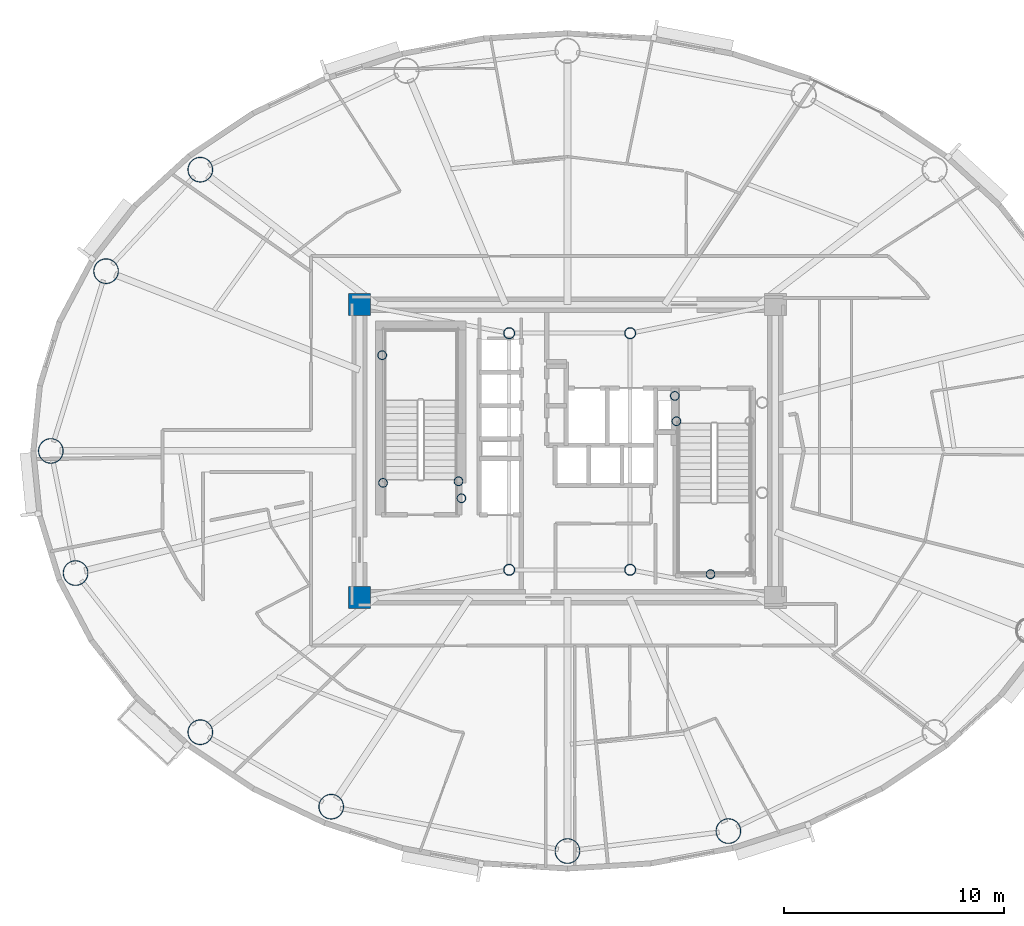
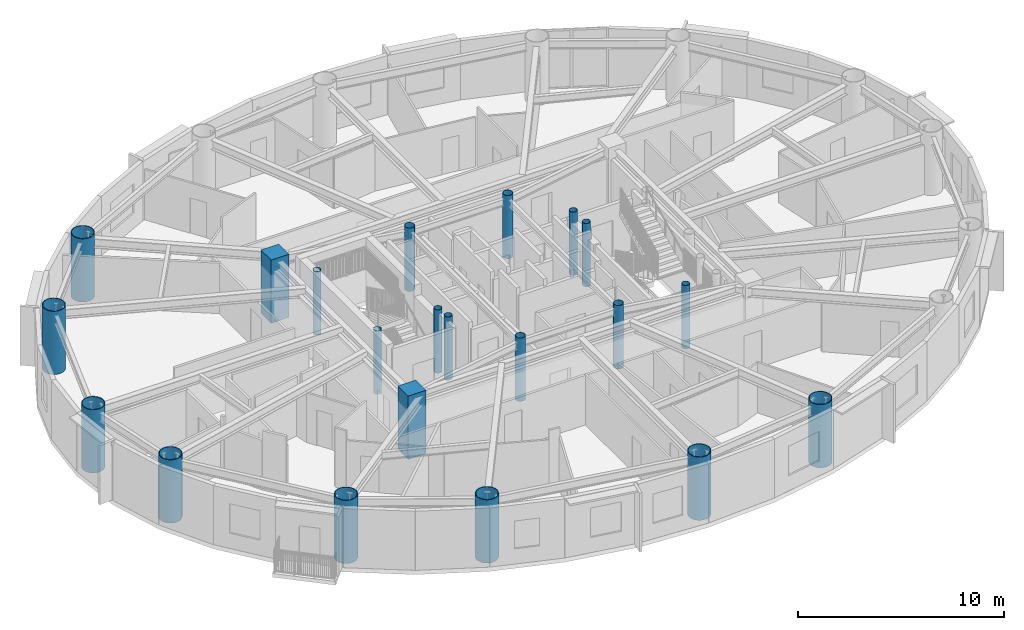
# One storey, part 1 of 16: 21 columns.
"""IFC4 building model written with IfcOpenShell, lengths in metres."""

from ifc_helpers import new_model, si_unit, direction, frame, origin, origin_2d, place, context, subcontext, project, spatial, rectangle, hollow_circle, extrude, material, material_profile, profile_set, type_object, element, save


model = new_model("IFC4")

# Units and contexts
model_context = context("Model", 3, precision=1e-05, world=origin(), true_north=direction((0.0, 1.0)))
body_context = subcontext(model_context, "Body", "Model", "MODEL_VIEW")
ifc_project = project(units=[si_unit("LENGTHUNIT", "METRE"), si_unit("AREAUNIT", "SQUARE_METRE"), si_unit("VOLUMEUNIT", "CUBIC_METRE"), si_unit("PLANEANGLEUNIT", "RADIAN"), si_unit("MASSUNIT", "GRAM", prefix="KILO")], contexts=[model_context])

# Site, building, storey
site_placement = place(None, origin())
site = spatial("IfcSite", under=ifc_project, at=site_placement, CompositionType="ELEMENT")
building_placement = place(site_placement, origin())
building = spatial("IfcBuilding", under=site, at=building_placement, Name="Linh Dai School and Residence Tower", CompositionType="ELEMENT")
storey_placement = place(building_placement, frame((0.0, 0.0, 255.300048828125)))
storey = spatial("IfcBuildingStorey", under=building, at=storey_placement, Name="L63", CompositionType="ELEMENT", Elevation=255.300048828125)

# Columns
ifc_material_1 = material(Name="Concrete B45 (C35/45)", Category="concrete")
ifc_material_profile_1 = material_profile(ifc_material_1, rectangle(XDim=1.0, YDim=1.0, at=origin_2d()), Name="RC 1000x1000")
ifc_profile_set_1 = profile_set([ifc_material_profile_1], Name="Concrete B45 (C35/45)")
column_type_1 = type_object("IfcColumnType", Name="COL-CC3", PredefinedType="COLUMN", material=ifc_profile_set_1)
for number, where, z_axis, x_axis, name in (
    (1, (26.550048828125, 20.35009765625, 0.0), (0.0, 0.0, 1.0), (1.0, 0.0, 0.0), "L63 Core Corner Pier CC1"),
    (2, (26.550048828125, 33.64990234375, 0.0), (0.0, 0.0, 1.0), (1.0, 0.0, 0.0), "L63 Core Corner Pier CC4"),
):
    element("IfcColumn", number, at=place(storey_placement, frame(where, z_axis=z_axis, x_axis=x_axis)), inside=storey, type_object=column_type_1, Name=name, PredefinedType="COLUMN", context=body_context, shape_type="SweptSolid", body=[
        extrude(rectangle(XDim=1.0, YDim=1.0, at=origin_2d()), origin(), (0.0, 0.0, 1.0), 3.75),
    ])
ifc_material_2 = material(Name="Structural Steel S355JR", Category="steel")
ifc_material_profile_2 = material_profile(ifc_material_2, hollow_circle(Radius=0.203125, WallThickness=0.01611328125, at=origin_2d()), Name="CHS 406.4x16")
ifc_profile_set_2 = profile_set([ifc_material_profile_2], Name="Structural Steel S355JR")
column_type_2 = type_object("IfcColumnType", Name="COL-EC", PredefinedType="COLUMN", material=ifc_profile_set_2)
for number, where, z_axis, x_axis, name in (
    (3, (27.580078125, 31.35009765625, 0.0), (0.0, 0.0, 1.0), (1.0, 0.0, 0.0), "L63 Stair Shaft Landing Support Pier ST1NW"),
    (4, (31.050048828125, 25.6201171875, 0.0), (0.0, 0.0, 1.0), (1.0, 0.0, 0.0), "L63 Stair Shaft Landing Support Pier ST1SE"),
    (5, (31.179931640625, 24.85009765625, 0.0), (0.0, 0.0, 1.0), (1.0, 0.0, 0.0), "L63 Stair Shaft Landing Support Pier ST1SM"),
    (6, (27.6201171875, 25.550048828125, 0.0), (0.0, 0.0, 1.0), (1.0, 0.0, 0.0), "L63 Stair Shaft Landing Support Pier ST1SW"),
    (7, (42.5, 21.39990234375, 0.0), (0.0, 0.0, 1.0), (1.0, 0.0, 0.0), "L63 Stair Shaft Landing Support Pier ST2MS"),
    (8, (40.949951171875, 28.35009765625, 0.0), (0.0, 0.0, 1.0), (1.0, 0.0, 0.0), "L63 Stair Shaft Landing Support Pier ST2N1"),
    (9, (40.8798828125, 29.5, 0.0), (0.0, 0.0, 1.0), (1.0, 0.0, 0.0), "L63 Stair Shaft Landing Support Pier ST2N3"),
):
    element("IfcColumn", number, at=place(storey_placement, frame(where, z_axis=z_axis, x_axis=x_axis)), inside=storey, type_object=column_type_2, Name=name, PredefinedType="COLUMN", context=body_context, shape_type="SweptSolid", body=[
        extrude(hollow_circle(Radius=0.203125, WallThickness=0.01611328125, at=origin_2d()), origin(), (0.0, 0.0, 1.0), 3.75),
    ])
ifc_material_profile_3 = material_profile(ifc_material_2, hollow_circle(Radius=0.574951171875, WallThickness=0.035888671875, at=origin_2d()), Name="CHS 1150x36")
ifc_profile_set_3 = profile_set([ifc_material_profile_3], Name="Structural Steel S355JR")
column_type_3 = type_object("IfcColumnType", Name="COL-MC5", PredefinedType="COLUMN", material=ifc_profile_set_3)
for number, where, z_axis, x_axis, name in (
    (10, (19.31689453125, 39.781005859375, 0.0), (0.0, 0.0, 1.0), (1.0, 0.0, 0.0), "L63 Perimeter CFT Mega-Column MC07"),
    (11, (15.03466796875, 35.1689453125, 0.0), (0.0, 0.0, 1.0), (1.0, 0.0, 0.0), "L63 Perimeter CFT Mega-Column MC08"),
    (12, (12.52490234375, 27.0, 0.0), (0.0, 0.0, 1.0), (1.0, 0.0, 0.0), "L63 Perimeter CFT Mega-Column MC09"),
    (13, (13.648681640625, 21.45068359375, 0.0), (0.0, 0.0, 1.0), (1.0, 0.0, 0.0), "L63 Perimeter CFT Mega-Column MC10"),
    (14, (19.31689453125, 14.218994140625, 0.0), (0.0, 0.0, 1.0), (1.0, 0.0, 0.0), "L63 Perimeter CFT Mega-Column MC11"),
    (15, (25.265380859375, 10.83642578125, 0.0), (0.0, 0.0, 1.0), (1.0, 0.0, 0.0), "L63 Perimeter CFT Mega-Column MC12"),
    (16, (36.0, 8.820068359375, 0.0), (0.0, 0.0, 1.0), (1.0, 0.0, 0.0), "L63 Perimeter CFT Mega-Column MC13"),
    (17, (43.31201171875, 9.7265625, 0.0), (0.0, 0.0, 1.0), (1.0, 0.0, 0.0), "L63 Perimeter CFT Mega-Column MC14"),
):
    element("IfcColumn", number, at=place(storey_placement, frame(where, z_axis=z_axis, x_axis=x_axis)), inside=storey, type_object=column_type_3, Name=name, PredefinedType="COLUMN", context=body_context, shape_type="SweptSolid", body=[
        extrude(hollow_circle(Radius=0.574951171875, WallThickness=0.035888671875, at=origin_2d()), origin(), (0.0, 0.0, 1.0), 3.75),
    ])
ifc_material_profile_4 = material_profile(ifc_material_2, hollow_circle(Radius=0.25390625, WallThickness=0.02001953125, at=origin_2d()), Name="CHS 508x20")
ifc_profile_set_4 = profile_set([ifc_material_profile_4], Name="Structural Steel S355JR")
column_type_4 = type_object("IfcColumnType", Name="COL-MCP", PredefinedType="COLUMN", material=ifc_profile_set_4)
for number, where, z_axis, x_axis, name in (
    (18, (33.35009765625, 21.60009765625, 0.0), (0.0, 0.0, 1.0), (1.0, 0.0, 0.0), "L63 Core Mast Support Pier MCP1"),
    (19, (38.85009765625, 21.60009765625, 0.0), (0.0, 0.0, 1.0), (1.0, 0.0, 0.0), "L63 Core Mast Support Pier MCP2"),
    (20, (38.85009765625, 32.35009765625, 0.0), (0.0, 0.0, 1.0), (1.0, 0.0, 0.0), "L63 Core Mast Support Pier MCP3"),
    (21, (33.35009765625, 32.35009765625, 0.0), (0.0, 0.0, 1.0), (1.0, 0.0, 0.0), "L63 Core Mast Support Pier MCP4"),
):
    element("IfcColumn", number, at=place(storey_placement, frame(where, z_axis=z_axis, x_axis=x_axis)), inside=storey, type_object=column_type_4, Name=name, PredefinedType="COLUMN", context=body_context, shape_type="SweptSolid", body=[
        extrude(hollow_circle(Radius=0.25390625, WallThickness=0.02001953125, at=origin_2d()), origin(), (0.0, 0.0, 1.0), 3.75),
    ])

save(model, "model.ifc")
